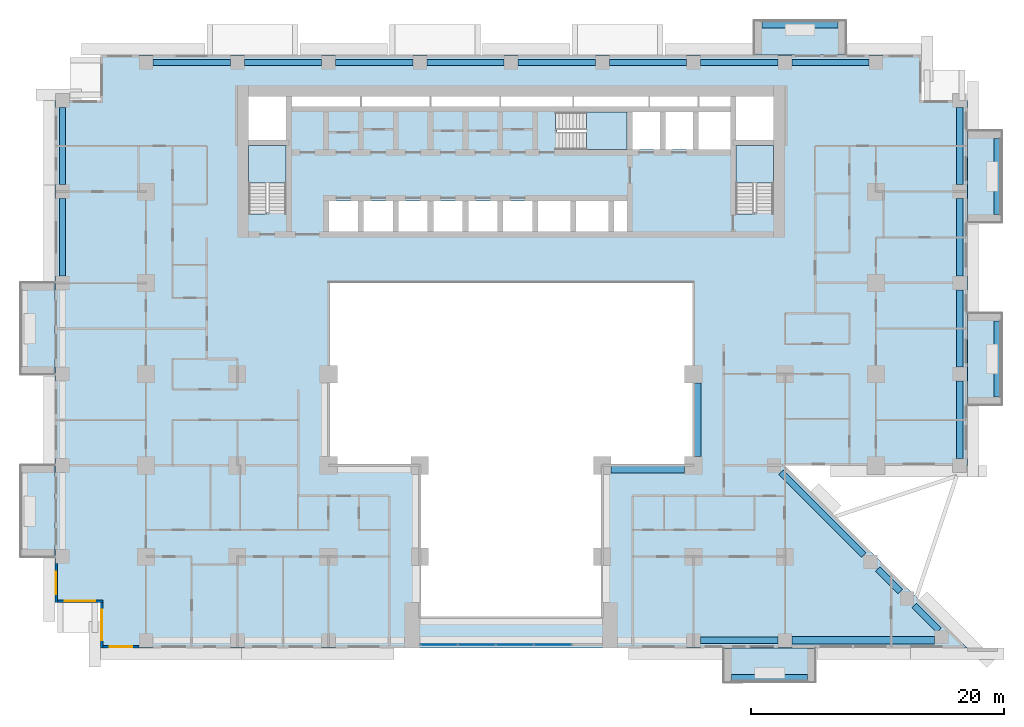
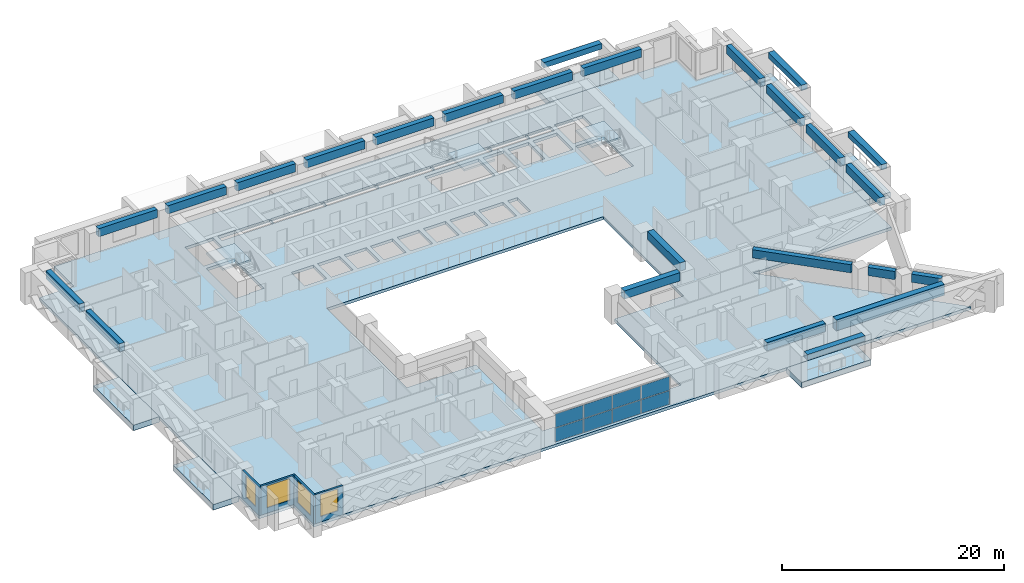
# One storey, part 5 of 16: 25 beams, 10 slabs, 8 plates, 4 walls, 4 windows, 4 openings, 4 elements without a shape of their own.
"""IFC4 building model written with IfcOpenShell, lengths in metres."""

from ifc_helpers import new_model, si_unit, direction, frame, frame_2d, origin, origin_2d, place, context, subcontext, project, spatial, polyline, rectangle, outline, extrude, source, transform, mapped, material, layer, layer_set, material_profile, profile_set, type_object, element, fill, aggregate, save


model = new_model("IFC4")

# Units and contexts
model_context = context("Model", 3, precision=1e-05, world=origin(), true_north=direction((0.0, 1.0)))
body_context = subcontext(model_context, "Body", "Model", "MODEL_VIEW")
ifc_project = project(units=[si_unit("LENGTHUNIT", "METRE"), si_unit("AREAUNIT", "SQUARE_METRE"), si_unit("VOLUMEUNIT", "CUBIC_METRE"), si_unit("PLANEANGLEUNIT", "RADIAN"), si_unit("MASSUNIT", "GRAM", prefix="KILO")], contexts=[model_context])

# Site, building, storey
site_placement = place(None, origin())
site = spatial("IfcSite", under=ifc_project, at=site_placement, CompositionType="ELEMENT")
building_placement = place(site_placement, origin())
building = spatial("IfcBuilding", under=site, at=building_placement, Name="Saffron Iwan Residences", CompositionType="ELEMENT")
storey_placement = place(building_placement, frame((0.0, 0.0, 48.0)))
storey = spatial("IfcBuildingStorey", under=building, at=storey_placement, Name="L11", CompositionType="ELEMENT", Elevation=48.0)

# Beams
ifc_material_1 = material(Name="Concrete C60/75", Category="concrete")
ifc_material_profile_1 = material_profile(ifc_material_1, rectangle(XDim=0.5, YDim=0.89990234375, at=origin_2d()), Name="RC 500x900")
ifc_profile_set_1 = profile_set([ifc_material_profile_1], Name="Concrete C60/75")
beam_type_1 = type_object("IfcBeamType", Name="SPANDREL BEAM RC 500x900 C60/75 TOP 3180", PredefinedType="SPANDREL", material=ifc_profile_set_1)
shared_shape_1 = source(origin(), body_context, "Body", "SweptSolid", [
    extrude(rectangle(XDim=0.5, YDim=0.89990234375, at=origin_2d()), origin(), (0.0, 0.0, 1.0), 6.10009765625),
])
for number, where, z_axis, x_axis, name in (
    (1, (85.800048828125, 61.85009765625, 2.72998046875), (0.0, -1.0, 0.0), (1.0, 0.0, 0.0), "Spandrel beam"),
    (2, (15.0, 62.949951171875, 2.72998046875), (0.0, 1.0, 0.0), (-1.0, 0.0, 0.0), "Spandrel beam"),
    (3, (85.800048828125, 69.050048828125, 2.72998046875), (0.0, -1.0, 0.0), (1.0, 0.0, 0.0), "Spandrel beam"),
    (4, (15.0, 70.14990234375, 2.72998046875), (0.0, 1.0, 0.0), (-1.0, 0.0, 0.0), "Spandrel beam"),
    (5, (85.800048828125, 76.25, 2.72998046875), (0.0, -1.0, 0.0), (1.0, 0.0, 0.0), "Spandrel beam"),
    (6, (22.14990234375, 79.800048828125, 2.72998046875), (1.0, 0.0, 0.0), (0.0, 1.0, 0.0), "Spandrel beam"),
    (7, (43.75, 79.800048828125, 2.72998046875), (1.0, 0.0, 0.0), (0.0, 1.0, 0.0), "Spandrel beam"),
    (8, (50.949951171875, 79.800048828125, 2.72998046875), (1.0, 0.0, 0.0), (0.0, 1.0, 0.0), "Spandrel beam"),
    (9, (58.14990234375, 79.800048828125, 2.72998046875), (1.0, 0.0, 0.0), (0.0, 1.0, 0.0), "Spandrel beam"),
):
    element("IfcBeam", number, at=place(storey_placement, frame(where, z_axis=z_axis, x_axis=x_axis)), inside=storey, type_object=beam_type_1, Name=name, PredefinedType="SPANDREL", context=body_context, shape_type="MappedRepresentation", body=[
        mapped(shared_shape_1, transform((0.0, 0.0, 0.0))),
    ])
shared_shape_2 = source(origin(), body_context, "Body", "SweptSolid", [
    extrude(rectangle(XDim=0.5, YDim=0.89990234375, at=origin_2d()), origin(), (0.0, 0.0, 1.0), 6.099853515625),
])
for number, where, z_axis, x_axis, name in (
    (10, (71.449951171875, 34.199951171875, 2.72998046875), (-1.0, 0.0, 0.0), (0.0, -1.0, 0.0), "Spandrel beam"),
    (11, (85.800048828125, 54.64990234375, 2.72998046875), (0.0, -1.0, 0.0), (1.0, 0.0, 0.0), "Spandrel beam"),
    (12, (29.35009765625, 79.800048828125, 2.72998046875), (1.0, 0.0, 0.0), (0.0, 1.0, 0.0), "Spandrel beam"),
    (13, (36.550048828125, 79.800048828125, 2.72998046875), (1.0, 0.0, 0.0), (0.0, 1.0, 0.0), "Spandrel beam"),
    (14, (65.35009765625, 79.800048828125, 2.72998046875), (1.0, 0.0, 0.0), (0.0, 1.0, 0.0), "Spandrel beam"),
    (15, (72.550048828125, 79.800048828125, 2.72998046875), (1.0, 0.0, 0.0), (0.0, 1.0, 0.0), "Spandrel beam"),
):
    element("IfcBeam", number, at=place(storey_placement, frame(where, z_axis=z_axis, x_axis=x_axis)), inside=storey, type_object=beam_type_1, Name=name, PredefinedType="SPANDREL", context=body_context, shape_type="MappedRepresentation", body=[
        mapped(shared_shape_2, transform((0.0, 0.0, 0.0))),
    ])
shared_shape_3 = source(origin(), body_context, "Body", "SweptSolid", [
    extrude(rectangle(XDim=0.5, YDim=0.89990234375, at=origin_2d()), origin(), (0.0, 0.0, 1.0), 2.76318359375),
])
beam_1_placement = place(storey_placement, frame((82.205810546875, 36.94580078125, 2.72998046875), z_axis=(0.707106781187, -0.707106781187, 0.0), x_axis=(0.707106781187, 0.707106781187, 0.0)))
element("IfcBeam", 16, at=beam_1_placement, inside=storey, type_object=beam_type_1, Name="Spandrel beam", PredefinedType="SPANDREL", context=body_context, shape_type="MappedRepresentation", body=[
    mapped(shared_shape_3, transform((0.0, 0.0, 0.0))),
])
shared_shape_4 = source(origin(), body_context, "Body", "SweptSolid", [
    extrude(rectangle(XDim=0.5, YDim=0.89990234375, at=origin_2d()), origin(), (0.0, 0.0, 1.0), 2.517333984375),
])
beam_2_placement = place(storey_placement, frame((79.32568359375, 39.82568359375, 2.72998046875), z_axis=(0.707106781187, -0.707106781187, 0.0), x_axis=(0.707106781187, 0.707106781187, 0.0)))
element("IfcBeam", 17, at=beam_2_placement, inside=storey, type_object=beam_type_1, Name="Spandrel beam", PredefinedType="SPANDREL", context=body_context, shape_type="MappedRepresentation", body=[
    mapped(shared_shape_4, transform((0.0, 0.0, 0.0))),
])
shared_shape_5 = source(origin(), body_context, "Body", "SweptSolid", [
    extrude(rectangle(XDim=0.5, YDim=0.89990234375, at=origin_2d()), origin(), (0.0, 0.0, 1.0), 9.228759765625),
])
beam_3_placement = place(storey_placement, frame((71.699951171875, 47.451416015625, 2.72998046875), z_axis=(0.707120008149, -0.707093553977, 0.0), x_axis=(0.707093553977, 0.707120008149, 0.0)))
element("IfcBeam", 18, at=beam_3_placement, inside=storey, type_object=beam_type_1, Name="Spandrel beam", PredefinedType="SPANDREL", context=body_context, shape_type="MappedRepresentation", body=[
    mapped(shared_shape_5, transform((0.0, 0.0, 0.0))),
])
ifc_material_profile_2 = material_profile(ifc_material_1, rectangle(XDim=0.60009765625, YDim=1.199951171875, at=origin_2d()), Name="RC 600x1200")
ifc_profile_set_2 = profile_set([ifc_material_profile_2], Name="Concrete C60/75")
beam_type_2 = type_object("IfcBeamType", Name="LINTEL BEAM RC 600x1200 C60/75 TOP 3180", PredefinedType="LINTEL", material=ifc_profile_set_2)
shared_shape_6 = source(origin(), body_context, "Body", "SweptSolid", [
    extrude(rectangle(XDim=0.60009765625, YDim=1.199951171875, at=origin_2d()), origin(), (0.0, 0.0, 1.0), 11.267333984375),
])
beam_4_placement = place(storey_placement, frame((83.8173828125, 34.199951171875, 2.580078125), z_axis=(-1.0, 0.0, 0.0), x_axis=(0.0, -1.0, 0.0)))
element("IfcBeam", 19, at=beam_4_placement, inside=storey, type_object=beam_type_2, Name="Lintel beam over the iwan", PredefinedType="LINTEL", context=body_context, shape_type="MappedRepresentation", body=[
    mapped(shared_shape_6, transform((0.0, 0.0, 0.0))),
])
ifc_material_profile_3 = material_profile(ifc_material_1, rectangle(XDim=0.60009765625, YDim=0.89990234375, at=origin_2d()), Name="RC 600x900")
ifc_profile_set_3 = profile_set([ifc_material_profile_3], Name="Concrete C60/75")
beam_type_3 = type_object("IfcBeamType", Name="BEAM RC 600x900 C60/75 TOP 3180", PredefinedType="BEAM", material=ifc_profile_set_3)
shared_shape_7 = source(origin(), body_context, "Body", "SweptSolid", [
    extrude(rectangle(XDim=0.60009765625, YDim=0.89990234375, at=origin_2d()), origin(), (0.0, 0.0, 1.0), 5.800048828125),
])
for number, where, z_axis, x_axis, name in (
    (20, (64.10009765625, 47.699951171875, 2.72998046875), (-1.0, 0.0, 0.0), (0.0, -1.0, 0.0), "Atrium edge beam"),
    (21, (65.10009765625, 54.5, 2.72998046875), (0.0, -1.0, 0.0), (1.0, 0.0, 0.0), "Atrium edge beam"),
):
    element("IfcBeam", number, at=place(storey_placement, frame(where, z_axis=z_axis, x_axis=x_axis)), inside=storey, type_object=beam_type_3, Name=name, PredefinedType="BEAM", context=body_context, shape_type="MappedRepresentation", body=[
        mapped(shared_shape_7, transform((0.0, 0.0, 0.0))),
    ])
ifc_material_2 = material(Name="Concrete C50/60 white painted", Category="concrete")
ifc_material_profile_4 = material_profile(ifc_material_2, rectangle(XDim=0.60009765625, YDim=0.60009765625, at=origin_2d()), Name="BALCONY FASCIA BEAM 600 x 600")
ifc_profile_set_4 = profile_set([ifc_material_profile_4], Name="Concrete C50/60 white painted")
beam_type_4 = type_object("IfcBeamType", Name="BALCONY FASCIA BEAM 600 x 600", PredefinedType="BEAM", material=ifc_profile_set_4)
shared_shape_8 = source(origin(), body_context, "Body", "SweptSolid", [
    extrude(rectangle(XDim=0.60009765625, YDim=0.60009765625, at=origin_2d()), origin(), (0.0, 0.0, 1.0), 6.0),
])
for number, where, z_axis, x_axis, name in (
    (22, (88.800048828125, 53.39990234375, 2.550048828125), (0.0, 1.0, 0.0), (-1.0, 0.0, 0.0), "Balcony fascia beam L11 F2-0"),
    (23, (88.800048828125, 67.800048828125, 2.550048828125), (0.0, 1.0, 0.0), (-1.0, 0.0, 0.0), "Balcony fascia beam L11 F2-1"),
    (24, (76.199951171875, 82.800048828125, 2.550048828125), (-1.0, 0.0, 0.0), (0.0, -1.0, 0.0), "Balcony fascia beam L11 F5-0"),
    (25, (67.800048828125, 31.199951171875, 2.550048828125), (1.0, 0.0, 0.0), (0.0, 1.0, 0.0), "Balcony fascia beam L11 11-1"),
):
    element("IfcBeam", number, at=place(storey_placement, frame(where, z_axis=z_axis, x_axis=x_axis)), inside=storey, type_object=beam_type_4, Name=name, PredefinedType="BEAM", context=body_context, shape_type="MappedRepresentation", body=[
        mapped(shared_shape_8, transform((0.0, 0.0, 0.0))),
    ])

# Slabs
ifc_layer_1 = layer(ifc_material_2, 0.60009765625)
ifc_layer_set_1 = layer_set([ifc_layer_1], Name="Concrete C50/60 white painted")
slab_type_1 = type_object("IfcSlabType", Name="BALCONY FRAME SLAB 600", PredefinedType="FLOOR", material=ifc_layer_set_1)
slab_1_placement = place(storey_placement, frame((0.0, 0.0, -0.60009765625)))
element("IfcSlab", 26, at=slab_1_placement, inside=storey, type_object=slab_type_1, Name="Balcony frame slab L11 F2-0", PredefinedType="FLOOR", context=body_context, shape_type="SweptSolid", body=[
    extrude(outline(polyline([(89.10009765625, 52.800048828125), (89.10009765625, 60.0), (86.39990234375, 60.0), (86.39990234375, 52.800048828125), (89.10009765625, 52.800048828125)])), origin(), (0.0, 0.0, 1.0), 0.60009765625),
])
slab_2_placement = place(storey_placement, frame((0.0, 0.0, -0.60009765625)))
element("IfcSlab", 27, at=slab_2_placement, inside=storey, type_object=slab_type_1, Name="Balcony frame slab L11 F2-1", PredefinedType="FLOOR", context=body_context, shape_type="SweptSolid", body=[
    extrude(outline(polyline([(89.10009765625, 67.199951171875), (89.10009765625, 74.39990234375), (86.39990234375, 74.39990234375), (86.39990234375, 67.199951171875), (89.10009765625, 67.199951171875)])), origin(), (0.0, 0.0, 1.0), 0.60009765625),
])
slab_3_placement = place(storey_placement, frame((0.0, 0.0, -0.60009765625)))
element("IfcSlab", 28, at=slab_3_placement, inside=storey, type_object=slab_type_1, Name="Balcony frame slab L11 F5-0", PredefinedType="FLOOR", context=body_context, shape_type="SweptSolid", body=[
    extrude(outline(polyline([(76.800048828125, 83.10009765625), (69.60009765625, 83.10009765625), (69.60009765625, 80.39990234375), (76.800048828125, 80.39990234375), (76.800048828125, 83.10009765625)])), origin(), (0.0, 0.0, 1.0), 0.60009765625),
])
slab_4_placement = place(storey_placement, frame((0.0, 0.0, -0.60009765625)))
element("IfcSlab", 29, at=slab_4_placement, inside=storey, type_object=slab_type_1, Name="Balcony frame slab L11 F8-0", PredefinedType="FLOOR", context=body_context, shape_type="SweptSolid", body=[
    extrude(outline(polyline([(11.699951171875, 62.39990234375), (11.699951171875, 55.199951171875), (14.39990234375, 55.199951171875), (14.39990234375, 62.39990234375), (11.699951171875, 62.39990234375)])), origin(), (0.0, 0.0, 1.0), 0.60009765625),
])
slab_5_placement = place(storey_placement, frame((0.0, 0.0, -0.60009765625)))
element("IfcSlab", 30, at=slab_5_placement, inside=storey, type_object=slab_type_1, Name="Balcony frame slab L11 F8-1", PredefinedType="FLOOR", context=body_context, shape_type="SweptSolid", body=[
    extrude(outline(polyline([(11.699951171875, 48.0), (11.699951171875, 40.800048828125), (14.39990234375, 40.800048828125), (14.39990234375, 48.0), (11.699951171875, 48.0)])), origin(), (0.0, 0.0, 1.0), 0.60009765625),
])
slab_6_placement = place(storey_placement, frame((0.0, 0.0, -0.60009765625)))
element("IfcSlab", 31, at=slab_6_placement, inside=storey, type_object=slab_type_1, Name="Balcony frame slab L11 11-1", PredefinedType="FLOOR", context=body_context, shape_type="SweptSolid", body=[
    extrude(outline(polyline([(67.199951171875, 30.89990234375), (74.39990234375, 30.89990234375), (74.39990234375, 33.60009765625), (67.199951171875, 33.60009765625), (67.199951171875, 30.89990234375)])), origin(), (0.0, 0.0, 1.0), 0.60009765625),
])
ifc_material_3 = material(Name="Concrete C40/50", Category="concrete")
ifc_layer_2 = layer(ifc_material_3, 0.320068359375)
ifc_layer_set_2 = layer_set([ifc_layer_2], Name="Concrete C40/50")
slab_type_2 = type_object("IfcSlabType", Name="PT PLATE 320 C40/50", PredefinedType="FLOOR", material=ifc_layer_set_2)
slab_7_placement = place(storey_placement, frame((0.0, 0.0, -0.320068359375)))
element("IfcSlab", 32, at=slab_7_placement, inside=storey, type_object=slab_type_2, Name="Floor slab L11", PredefinedType="FLOOR", context=body_context, shape_type="SweptSolid", body=[
    extrude(outline(polyline([(14.39990234375, 37.199951171875), (14.39990234375, 76.800048828125), (18.0, 76.800048828125), (18.0, 80.39990234375), (82.800048828125, 80.39990234375), (82.800048828125, 76.800048828125), (86.39990234375, 76.800048828125), (86.39990234375, 48.0), (72.0, 48.0), (86.39990234375, 33.60009765625), (18.0, 33.60009765625), (18.0, 37.199951171875), (14.39990234375, 37.199951171875)]), holes=[polyline([(64.800048828125, 48.0), (64.800048828125, 62.39990234375), (36.0, 62.39990234375), (36.0, 48.0), (43.199951171875, 48.0), (43.199951171875, 36.0), (57.60009765625, 36.0), (57.60009765625, 48.0), (64.800048828125, 48.0)]), polyline([(38.324951171875, 68.875), (36.02490234375, 68.875), (36.02490234375, 66.449951171875), (38.324951171875, 66.449951171875), (38.324951171875, 68.875)]), polyline([(41.074951171875, 66.449951171875), (41.074951171875, 68.875), (38.77490234375, 68.875), (38.77490234375, 66.449951171875), (41.074951171875, 66.449951171875)]), polyline([(43.824951171875, 66.449951171875), (43.824951171875, 68.875), (41.52490234375, 68.875), (41.52490234375, 66.449951171875), (43.824951171875, 66.449951171875)]), polyline([(46.574951171875, 68.875), (44.27490234375, 68.875), (44.27490234375, 66.449951171875), (46.574951171875, 66.449951171875), (46.574951171875, 68.875)]), polyline([(49.324951171875, 66.449951171875), (49.324951171875, 68.875), (47.02490234375, 68.875), (47.02490234375, 66.449951171875), (49.324951171875, 66.449951171875)]), polyline([(52.074951171875, 66.449951171875), (52.074951171875, 68.875), (49.77490234375, 68.875), (49.77490234375, 66.449951171875), (52.074951171875, 66.449951171875)]), polyline([(29.699951171875, 73.25), (29.699951171875, 67.949951171875), (29.699951171875, 67.8505859375), (31.10009765625, 67.8505859375), (31.10009765625, 67.949951171875), (32.64990234375, 67.949951171875), (32.64990234375, 73.25), (29.699951171875, 73.25)]), polyline([(32.64990234375, 73.699951171875), (32.64990234375, 77.10009765625), (29.699951171875, 77.10009765625), (29.699951171875, 73.699951171875), (32.64990234375, 73.699951171875)]), polyline([(38.5, 76.324951171875), (38.5, 77.10009765625), (33.10009765625, 77.10009765625), (33.10009765625, 76.324951171875), (38.5, 76.324951171875)]), polyline([(44.0, 77.10009765625), (38.60009765625, 77.10009765625), (38.60009765625, 76.324951171875), (44.0, 76.324951171875), (44.0, 77.10009765625)]), polyline([(49.5, 76.324951171875), (49.5, 77.10009765625), (44.10009765625, 77.10009765625), (44.10009765625, 76.324951171875), (49.5, 76.324951171875)]), polyline([(55.25, 76.324951171875), (55.25, 77.10009765625), (49.60009765625, 77.10009765625), (49.60009765625, 76.324951171875), (55.25, 76.324951171875)]), polyline([(55.074951171875, 68.875), (52.52490234375, 68.875), (52.52490234375, 66.449951171875), (55.074951171875, 66.449951171875), (55.074951171875, 68.875)]), polyline([(58.074951171875, 66.449951171875), (58.074951171875, 68.875), (55.52490234375, 68.875), (55.52490234375, 66.449951171875), (58.074951171875, 66.449951171875)]), polyline([(59.550048828125, 66.449951171875), (59.550048828125, 68.875), (58.52490234375, 68.875), (58.52490234375, 66.449951171875), (59.550048828125, 66.449951171875)]), polyline([(68.14990234375, 73.25), (68.14990234375, 67.949951171875), (68.14990234375, 67.8505859375), (69.550048828125, 67.8505859375), (69.550048828125, 67.949951171875), (71.10009765625, 67.949951171875), (71.10009765625, 73.25), (68.14990234375, 73.25)]), polyline([(53.925537109375, 74.47509765625), (54.02490234375, 74.47509765625), (54.02490234375, 72.925048828125), (59.550048828125, 72.925048828125), (59.550048828125, 75.875), (54.02490234375, 75.875), (53.925537109375, 75.875), (53.925537109375, 74.47509765625)]), polyline([(62.14990234375, 72.925048828125), (62.14990234375, 75.875), (60.0, 75.875), (60.0, 72.925048828125), (62.14990234375, 72.925048828125)]), polyline([(64.75, 75.875), (62.60009765625, 75.875), (62.60009765625, 72.925048828125), (64.75, 72.925048828125), (64.75, 75.875)]), polyline([(67.699951171875, 72.925048828125), (67.699951171875, 75.875), (65.199951171875, 75.875), (65.199951171875, 72.925048828125), (67.699951171875, 72.925048828125)]), polyline([(71.10009765625, 73.699951171875), (71.10009765625, 77.10009765625), (68.14990234375, 77.10009765625), (68.14990234375, 73.699951171875), (71.10009765625, 73.699951171875)]), polyline([(61.25, 77.10009765625), (55.35009765625, 77.10009765625), (55.35009765625, 76.324951171875), (61.25, 76.324951171875), (61.25, 77.10009765625)]), polyline([(65.14990234375, 76.324951171875), (65.14990234375, 77.10009765625), (61.35009765625, 77.10009765625), (61.35009765625, 76.324951171875), (65.14990234375, 76.324951171875)]), polyline([(67.699951171875, 76.324951171875), (67.699951171875, 77.10009765625), (65.25, 77.10009765625), (65.25, 76.324951171875), (67.699951171875, 76.324951171875)])]), origin(), (0.0, 0.0, 1.0), 0.320068359375),
])

# Stair, slab
ifc_material_4 = material(Name="Concrete C50/60", Category="concrete")
stair_type = type_object("IfcStairType", Name="Stair ST-CORE", PredefinedType="HALF_TURN_STAIR", material=ifc_material_4)
stair_1_placement = place(storey_placement, origin())
stair_1 = element("IfcStair", 33, at=stair_1_placement, inside=storey, type_object=stair_type, Name="L11 Exit Stair ST-W", PredefinedType="HALF_TURN_STAIR")
ifc_layer_3 = layer(ifc_material_4, 0.199951171875)
ifc_layer_set_3 = layer_set([ifc_layer_3], Name="Concrete C50/60")
slab_type_3 = type_object("IfcSlabType", Name="Stair landing SL-RC", PredefinedType="LANDING", material=ifc_layer_set_3)
slab_8_placement = place(storey_placement, frame((0.0, 0.0, 1.5498046875)))
slab_8 = element("IfcSlab", 34, at=slab_8_placement, type_object=slab_type_3, Name="ST-W landing 1", PredefinedType="LANDING", context=body_context, shape_type="SweptSolid", body=[
    extrude(outline(polyline([(32.64990234375, 70.280029296875), (32.64990234375, 73.25), (29.699951171875, 73.25), (29.699951171875, 70.280029296875), (32.64990234375, 70.280029296875)])), origin(), (0.0, 0.0, 1.0), 0.2001953125),
])
aggregate(stair_1, [slab_8])

stair_2_placement = place(storey_placement, origin())
stair_2 = element("IfcStair", 35, at=stair_2_placement, inside=storey, type_object=stair_type, Name="L11 Exit Stair ST-C", PredefinedType="HALF_TURN_STAIR")
slab_9_placement = place(storey_placement, frame((0.0, 0.0, 1.5498046875)))
slab_9 = element("IfcSlab", 36, at=slab_9_placement, type_object=slab_type_3, Name="ST-C landing 1", PredefinedType="LANDING", context=body_context, shape_type="SweptSolid", body=[
    extrude(outline(polyline([(56.35498046875, 72.925048828125), (59.550048828125, 72.925048828125), (59.550048828125, 75.875), (56.35498046875, 75.875), (56.35498046875, 72.925048828125)])), origin(), (0.0, 0.0, 1.0), 0.2001953125),
])
aggregate(stair_2, [slab_9])

stair_3_placement = place(storey_placement, origin())
stair_3 = element("IfcStair", 37, at=stair_3_placement, inside=storey, type_object=stair_type, Name="L11 Exit Stair ST-E", PredefinedType="HALF_TURN_STAIR")
slab_10_placement = place(storey_placement, frame((0.0, 0.0, 1.5498046875)))
slab_10 = element("IfcSlab", 38, at=slab_10_placement, type_object=slab_type_3, Name="ST-E landing 1", PredefinedType="LANDING", context=body_context, shape_type="SweptSolid", body=[
    extrude(outline(polyline([(71.10009765625, 70.280029296875), (71.10009765625, 73.25), (68.14990234375, 73.25), (68.14990234375, 70.280029296875), (71.10009765625, 70.280029296875)])), origin(), (0.0, 0.0, 1.0), 0.2001953125),
])
aggregate(stair_3, [slab_10])

# Curtain wall, plates
ifc_material_5 = material(Name="Clear glass, laminated double glazed", Category="glass")
ifc_layer_4 = layer(ifc_material_5, 0.199951171875)
ifc_layer_set_4 = layer_set([ifc_layer_4], Name="Clear glass, laminated double glazed")
curtain_wall_type = type_object("IfcCurtainWallType", Name="CW-B IWAN PORTAL", PredefinedType="NOTDEFINED", material=ifc_layer_set_4)
curtain_wall_placement = place(storey_placement, origin())
curtain_wall = element("IfcCurtainWall", 39, at=curtain_wall_placement, inside=storey, type_object=curtain_wall_type, Name="Iwan portal glazing L11.1", PredefinedType="NOTDEFINED")
ifc_layer_5 = layer(ifc_material_5, 0.028076171875)
ifc_layer_set_5 = layer_set([ifc_layer_5], Name="Clear glass, laminated double glazed")
plate_type = type_object("IfcPlateType", Name="CW-B PANEL 28", PredefinedType="CURTAIN_PANEL", material=ifc_layer_set_5)
shared_shape_9 = source(origin(), body_context, "Body", "SweptSolid", [
    extrude(rectangle(XDim=2.909912109375, YDim=0.028076171875, at=origin_2d()), origin(), (0.0, 0.0, 1.0), 1.5),
])
plate_1_placement = place(storey_placement, frame((44.715087890625, 33.85009765625, 0.06005859375), z_axis=(0.0, 0.0, 1.0), x_axis=(1.0, 0.0, 0.0)))
plate_1 = element("IfcPlate", 40, at=plate_1_placement, type_object=plate_type, Name="CW-B panel 1.1", PredefinedType="CURTAIN_PANEL", context=body_context, shape_type="MappedRepresentation", body=[
    mapped(shared_shape_9, transform((0.0, 0.0, 0.0))),
])
plate_2_placement = place(storey_placement, frame((44.715087890625, 33.85009765625, 1.6201171875), z_axis=(0.0, 0.0, 1.0), x_axis=(1.0, 0.0, 0.0)))
plate_2 = element("IfcPlate", 41, at=plate_2_placement, type_object=plate_type, Name="CW-B panel 1.2", PredefinedType="CURTAIN_PANEL", context=body_context, shape_type="MappedRepresentation", body=[
    mapped(shared_shape_9, transform((0.0, 0.0, 0.0))),
])
plate_3_placement = place(storey_placement, frame((53.68505859375, 33.85009765625, 0.06005859375), z_axis=(0.0, 0.0, 1.0), x_axis=(1.0, 0.0, 0.0)))
plate_3 = element("IfcPlate", 42, at=plate_3_placement, type_object=plate_type, Name="CW-B panel 4.1", PredefinedType="CURTAIN_PANEL", context=body_context, shape_type="MappedRepresentation", body=[
    mapped(shared_shape_9, transform((0.0, 0.0, 0.0))),
])
plate_4_placement = place(storey_placement, frame((53.68505859375, 33.85009765625, 1.6201171875), z_axis=(0.0, 0.0, 1.0), x_axis=(1.0, 0.0, 0.0)))
plate_4 = element("IfcPlate", 43, at=plate_4_placement, type_object=plate_type, Name="CW-B panel 4.2", PredefinedType="CURTAIN_PANEL", context=body_context, shape_type="MappedRepresentation", body=[
    mapped(shared_shape_9, transform((0.0, 0.0, 0.0))),
])
shared_shape_10 = source(origin(), body_context, "Body", "SweptSolid", [
    extrude(rectangle(XDim=2.93994140625, YDim=0.028076171875, at=origin_2d()), origin(), (0.0, 0.0, 1.0), 1.5),
])
plate_5_placement = place(storey_placement, frame((47.699951171875, 33.85009765625, 0.06005859375), z_axis=(0.0, 0.0, 1.0), x_axis=(1.0, 0.0, 0.0)))
plate_5 = element("IfcPlate", 44, at=plate_5_placement, type_object=plate_type, Name="CW-B panel 2.1", PredefinedType="CURTAIN_PANEL", context=body_context, shape_type="MappedRepresentation", body=[
    mapped(shared_shape_10, transform((0.0, 0.0, 0.0))),
])
plate_6_placement = place(storey_placement, frame((47.699951171875, 33.85009765625, 1.6201171875), z_axis=(0.0, 0.0, 1.0), x_axis=(1.0, 0.0, 0.0)))
plate_6 = element("IfcPlate", 45, at=plate_6_placement, type_object=plate_type, Name="CW-B panel 2.2", PredefinedType="CURTAIN_PANEL", context=body_context, shape_type="MappedRepresentation", body=[
    mapped(shared_shape_10, transform((0.0, 0.0, 0.0))),
])
plate_7_placement = place(storey_placement, frame((50.699951171875, 33.85009765625, 0.06005859375), z_axis=(0.0, 0.0, 1.0), x_axis=(1.0, 0.0, 0.0)))
plate_7 = element("IfcPlate", 46, at=plate_7_placement, type_object=plate_type, Name="CW-B panel 3.1", PredefinedType="CURTAIN_PANEL", context=body_context, shape_type="MappedRepresentation", body=[
    mapped(shared_shape_10, transform((0.0, 0.0, 0.0))),
])
plate_8_placement = place(storey_placement, frame((50.699951171875, 33.85009765625, 1.6201171875), z_axis=(0.0, 0.0, 1.0), x_axis=(1.0, 0.0, 0.0)))
plate_8 = element("IfcPlate", 47, at=plate_8_placement, type_object=plate_type, Name="CW-B panel 3.2", PredefinedType="CURTAIN_PANEL", context=body_context, shape_type="MappedRepresentation", body=[
    mapped(shared_shape_10, transform((0.0, 0.0, 0.0))),
])
aggregate(curtain_wall, [plate_1, plate_2, plate_5, plate_6, plate_7, plate_8, plate_3, plate_4])

# Wall, opening, window
ifc_layer_6 = layer(ifc_material_3, 0.199951171875)
ifc_layer_set_6 = layer_set([ifc_layer_6], Name="Concrete C40/50")
wall_type = type_object("IfcWallType", Name="EXTERNAL WALL 200", PredefinedType="SOLIDWALL", material=ifc_layer_set_6)
wall_1_placement = place(storey_placement, frame((14.5, 40.25, 0.0), z_axis=(0.0, 0.0, 1.0), x_axis=(0.0, -1.0, 0.0)))
wall_1 = element("IfcWall", 48, at=wall_1_placement, inside=storey, type_object=wall_type, Name="External wall L11 F8.5", PredefinedType="SOLIDWALL", context=body_context, shape_type="SweptSolid", body=[
    extrude(rectangle(XDim=3.050048828125, YDim=0.199951171875, at=frame_2d((1.52490234375, 0.0))), origin(), (0.0, 0.0, 1.0), 3.179931640625),
])
opening_1_placement = place(wall_1_placement, frame((0.625, 0.0, 0.60009765625)))
opening_1 = element("IfcOpeningElement", 49, at=opening_1_placement, cuts=wall_1, Name="Opening W8", PredefinedType="OPENING", context=body_context, shape_type="SweptSolid", body=[
    extrude(rectangle(XDim=1.800048828125, YDim=2.39990234375, at=frame_2d((0.89990234375, 1.199951171875))), frame((0.0, 0.10986328125, 0.0), z_axis=(0.0, -1.0, 0.0), x_axis=(1.0, 0.0, 0.0)), (0.0, 0.0, 1.0), 0.219970703125),
])
window_type_1 = type_object("IfcWindowType", Name="WINDOW 1800 x 2400", PartitioningType="DOUBLE_PANEL_VERTICAL", PredefinedType="WINDOW", material=ifc_material_5)
window_1_placement = place(opening_1_placement, origin())
window_1 = element("IfcWindow", 50, at=window_1_placement, inside=storey, type_object=window_type_1, Name="Window L11 F8.0", OverallHeight=2.39990234375, OverallWidth=1.800048828125, PartitioningType="DOUBLE_PANEL_VERTICAL", PredefinedType="WINDOW", context=body_context, shape_type="SweptSolid", body=[
    extrude(rectangle(XDim=1.800048828125, YDim=2.39990234375, at=frame_2d((0.89990234375, 1.199951171875))), frame((0.0, 0.030029296875, 0.0), z_axis=(0.0, -1.0, 0.0), x_axis=(1.0, 0.0, 0.0)), (0.0, 0.0, 1.0), 0.06005859375),
])
fill(opening_1, window_1)

wall_2_placement = place(storey_placement, frame((14.60009765625, 37.300048828125, 0.0), z_axis=(0.0, 0.0, 1.0), x_axis=(1.0, 0.0, 0.0)))
wall_2 = element("IfcWall", 51, at=wall_2_placement, inside=storey, type_object=wall_type, Name="External wall L11 F9.0", PredefinedType="SOLIDWALL", context=body_context, shape_type="SweptSolid", body=[
    extrude(rectangle(XDim=3.599853515625, YDim=0.199951171875, at=frame_2d((1.7998046875, 0.0))), origin(), (0.0, 0.0, 1.0), 3.179931640625),
])
opening_2_placement = place(wall_2_placement, frame((0.60009765625, 0.0, 0.60009765625)))
opening_2 = element("IfcOpeningElement", 52, at=opening_2_placement, cuts=wall_2, Name="Opening W1", PredefinedType="OPENING", context=body_context, shape_type="SweptSolid", body=[
    extrude(rectangle(XDim=2.39990234375, YDim=2.39990234375, at=frame_2d((1.199951171875, 1.199951171875))), frame((0.0, 0.10986328125, 0.0), z_axis=(0.0, -1.0, 0.0), x_axis=(1.0, 0.0, 0.0)), (0.0, 0.0, 1.0), 0.219970703125),
])
window_type_2 = type_object("IfcWindowType", Name="WINDOW 2400 x 2400", PartitioningType="DOUBLE_PANEL_VERTICAL", PredefinedType="WINDOW", material=ifc_material_5)
window_2_placement = place(opening_2_placement, origin())
window_2 = element("IfcWindow", 53, at=window_2_placement, inside=storey, type_object=window_type_2, Name="Window L11 F9.0", OverallHeight=2.39990234375, OverallWidth=2.39990234375, PartitioningType="DOUBLE_PANEL_VERTICAL", PredefinedType="WINDOW", context=body_context, shape_type="SweptSolid", body=[
    extrude(rectangle(XDim=2.39990234375, YDim=2.39990234375, at=frame_2d((1.199951171875, 1.199951171875))), frame((0.0, 0.030029296875, 0.0), z_axis=(0.0, -1.0, 0.0), x_axis=(1.0, 0.0, 0.0)), (0.0, 0.0, 1.0), 0.06005859375),
])
fill(opening_2, window_2)

wall_3_placement = place(storey_placement, frame((18.10009765625, 37.199951171875, 0.0), z_axis=(0.0, 0.0, 1.0), x_axis=(0.0, -1.0, 0.0)))
wall_3 = element("IfcWall", 54, at=wall_3_placement, inside=storey, type_object=wall_type, Name="External wall L11 F10.0", PredefinedType="SOLIDWALL", context=body_context, shape_type="SweptSolid", body=[
    extrude(rectangle(XDim=3.599853515625, YDim=0.199951171875, at=frame_2d((1.7998046875, 0.0))), origin(), (0.0, 0.0, 1.0), 3.179931640625),
])
opening_3_placement = place(wall_3_placement, frame((0.60009765625, 0.0, 0.60009765625)))
opening_3 = element("IfcOpeningElement", 55, at=opening_3_placement, cuts=wall_3, Name="Opening W1", PredefinedType="OPENING", context=body_context, shape_type="SweptSolid", body=[
    extrude(rectangle(XDim=2.39990234375, YDim=2.39990234375, at=frame_2d((1.199951171875, 1.199951171875))), frame((0.0, 0.10986328125, 0.0), z_axis=(0.0, -1.0, 0.0), x_axis=(1.0, 0.0, 0.0)), (0.0, 0.0, 1.0), 0.219970703125),
])
window_3_placement = place(opening_3_placement, origin())
window_3 = element("IfcWindow", 56, at=window_3_placement, inside=storey, type_object=window_type_2, Name="Window L11 F10.0", OverallHeight=2.39990234375, OverallWidth=2.39990234375, PartitioningType="DOUBLE_PANEL_VERTICAL", PredefinedType="WINDOW", context=body_context, shape_type="SweptSolid", body=[
    extrude(rectangle(XDim=2.39990234375, YDim=2.39990234375, at=frame_2d((1.199951171875, 1.199951171875))), frame((0.0, 0.030029296875, 0.0), z_axis=(0.0, -1.0, 0.0), x_axis=(1.0, 0.0, 0.0)), (0.0, 0.0, 1.0), 0.06005859375),
])
fill(opening_3, window_3)

wall_4_placement = place(storey_placement, frame((18.199951171875, 33.699951171875, 0.0), z_axis=(0.0, 0.0, 1.0), x_axis=(1.0, 0.0, 0.0)))
wall_4 = element("IfcWall", 57, at=wall_4_placement, inside=storey, type_object=wall_type, Name="External wall L11 F11.0", PredefinedType="SOLIDWALL", context=body_context, shape_type="SweptSolid", body=[
    extrude(rectangle(XDim=2.85009765625, YDim=0.199951171875, at=frame_2d((1.425048828125, 0.0))), origin(), (0.0, 0.0, 1.0), 3.179931640625),
])
opening_4_placement = place(wall_4_placement, frame((0.52490234375, 0.0, 0.60009765625)))
opening_4 = element("IfcOpeningElement", 58, at=opening_4_placement, cuts=wall_4, Name="Opening W8", PredefinedType="OPENING", context=body_context, shape_type="SweptSolid", body=[
    extrude(rectangle(XDim=1.800048828125, YDim=2.39990234375, at=frame_2d((0.89990234375, 1.199951171875))), frame((0.0, 0.10986328125, 0.0), z_axis=(0.0, -1.0, 0.0), x_axis=(1.0, 0.0, 0.0)), (0.0, 0.0, 1.0), 0.219970703125),
])
window_4_placement = place(opening_4_placement, origin())
window_4 = element("IfcWindow", 59, at=window_4_placement, inside=storey, type_object=window_type_1, Name="Window L11 F11.0", OverallHeight=2.39990234375, OverallWidth=1.800048828125, PartitioningType="DOUBLE_PANEL_VERTICAL", PredefinedType="WINDOW", context=body_context, shape_type="SweptSolid", body=[
    extrude(rectangle(XDim=1.800048828125, YDim=2.39990234375, at=frame_2d((0.89990234375, 1.199951171875))), frame((0.0, 0.030029296875, 0.0), z_axis=(0.0, -1.0, 0.0), x_axis=(1.0, 0.0, 0.0)), (0.0, 0.0, 1.0), 0.06005859375),
])
fill(opening_4, window_4)

save(model, "model.ifc")
